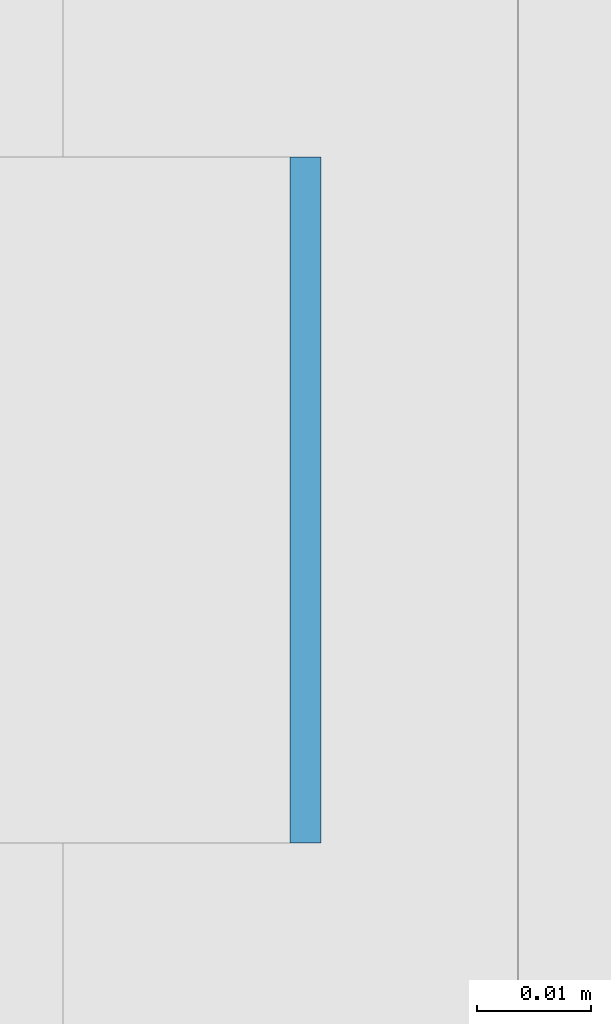
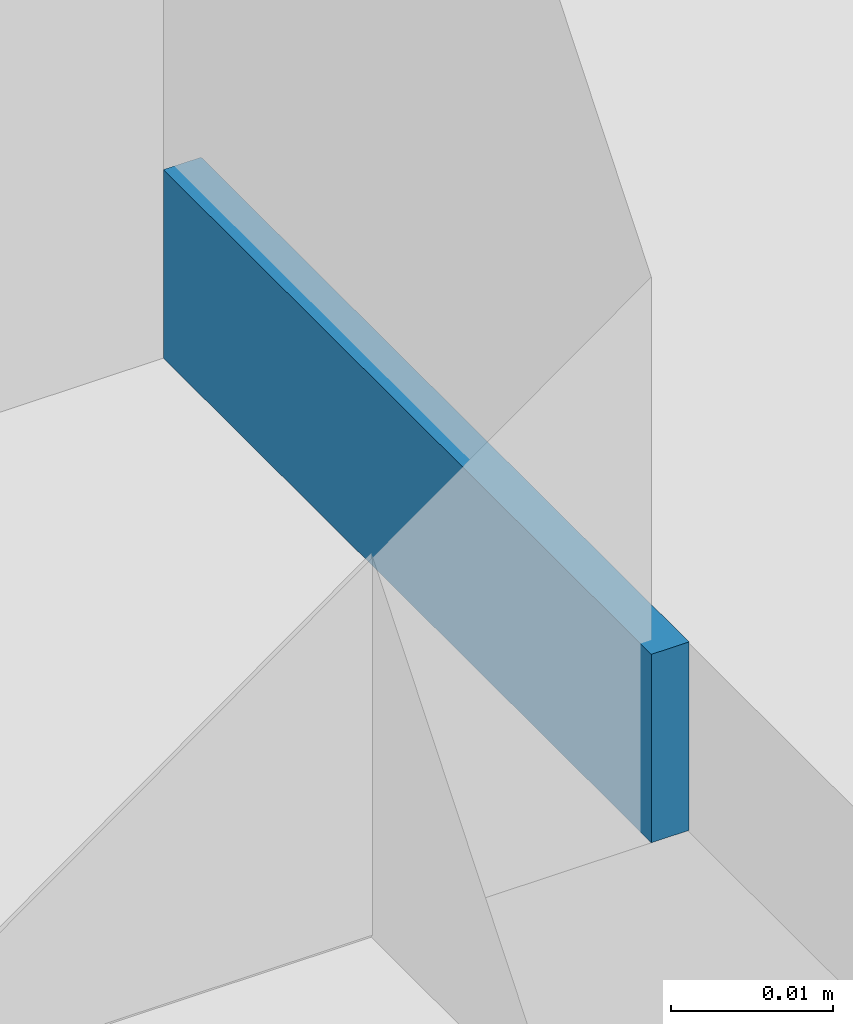
# One storey, part 346 of 646: 1 discrete accessory.
"""IFC4 building model written with IfcOpenShell, lengths in metres."""

from ifc_helpers import new_model, si_unit, direction, frame, origin, origin_2d, place, context, subcontext, project, spatial, rectangle, extrude, material, type_object, element, save


model = new_model("IFC4")

# Units and contexts
model_context = context("Model", 3, precision=1e-05, world=origin(), true_north=direction((0.0, 1.0)))
body_context = subcontext(model_context, "Body", "Model", "MODEL_VIEW")
ifc_project = project(units=[si_unit("LENGTHUNIT", "METRE"), si_unit("AREAUNIT", "SQUARE_METRE"), si_unit("VOLUMEUNIT", "CUBIC_METRE"), si_unit("PLANEANGLEUNIT", "RADIAN"), si_unit("MASSUNIT", "GRAM", prefix="KILO")], contexts=[model_context])

# Site, building, storey
site_placement = place(None, origin())
site = spatial("IfcSite", under=ifc_project, at=site_placement, CompositionType="ELEMENT")
building_placement = place(site_placement, origin())
building = spatial("IfcBuilding", under=site, at=building_placement, Name="Silverbay Arena", CompositionType="ELEMENT")
storey_placement = place(building_placement, frame((0.0, 0.0, 33.5)))
storey = spatial("IfcBuildingStorey", under=building, at=storey_placement, Name="L05", CompositionType="ELEMENT", Elevation=33.5)

# Discrete accessory
ifc_material = material(Name="Steel S355", Category="steel")
discrete_accessory_type = type_object("IfcDiscreteAccessoryType", Name="Steel bracket plate", PredefinedType="BRACKET", material=ifc_material)
discrete_accessory_placement = place(storey_placement, frame((53.871337890625, 88.71435546875, 4.0), z_axis=(0.0, 0.0, 1.0), x_axis=(1.0, 0.0, 0.0)))
element("IfcDiscreteAccessory", 1, at=discrete_accessory_placement, inside=storey, type_object=discrete_accessory_type, Name="Curtain wall packing plate", PredefinedType="BRACKET", context=body_context, shape_type="SweptSolid", body=[
    extrude(rectangle(XDim=0.002685546875, YDim=0.06005859375, at=origin_2d()), origin(), (0.0, 0.0, 1.0), 0.01416015625),
])

save(model, "model.ifc")
